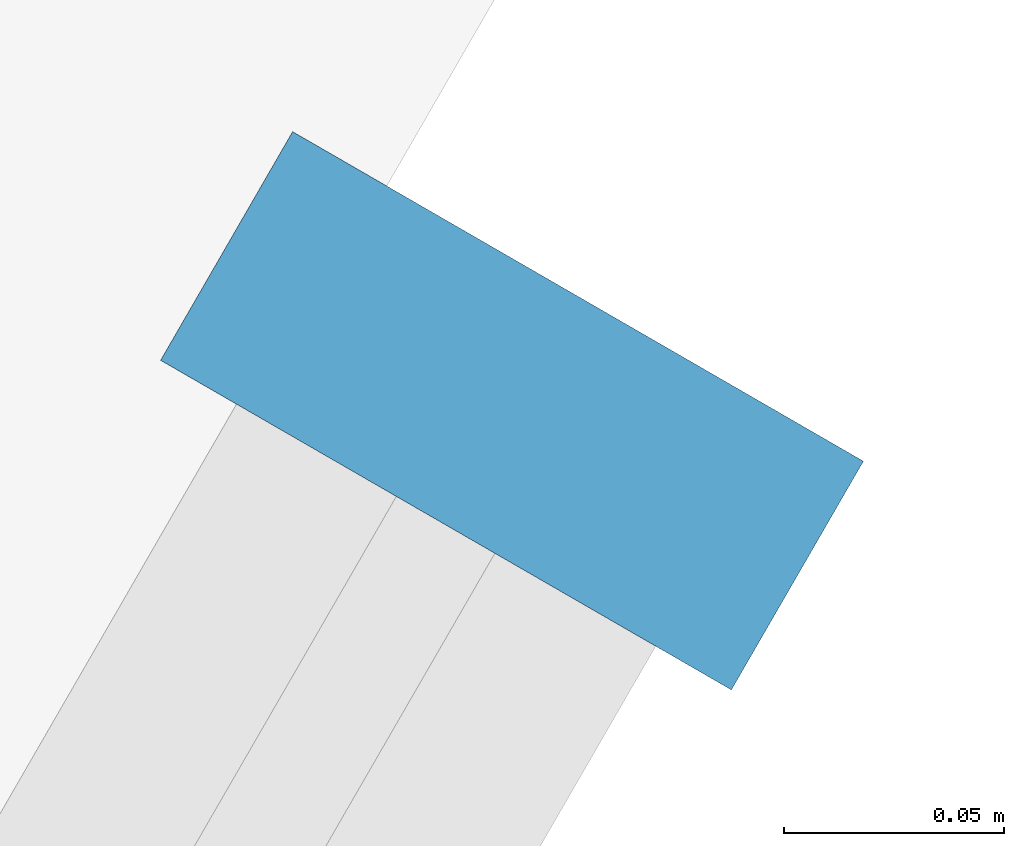
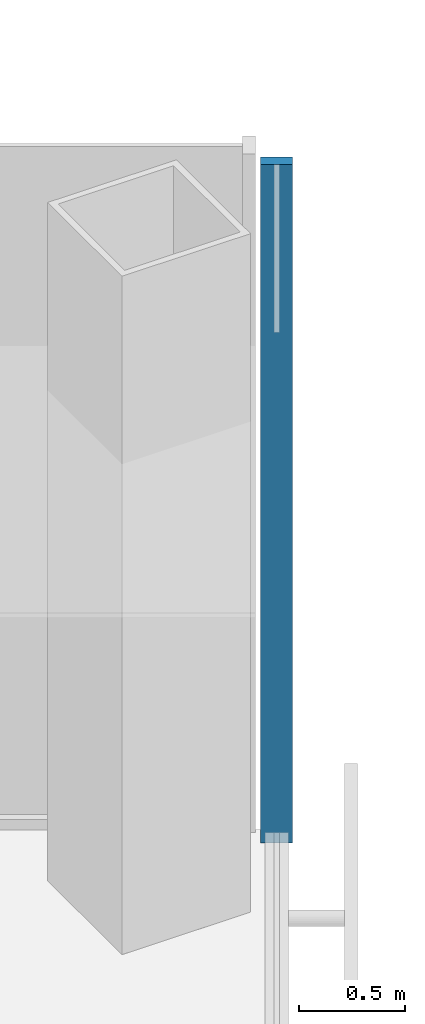
# One storey, part 9 of 18: 1 member, 1 element without a shape of its own.
"""IFC4 building model written with IfcOpenShell, lengths in metres."""

from ifc_helpers import new_model, si_unit, direction, frame, origin, origin_2d, place, context, subcontext, project, spatial, rectangle, extrude, material, material_profile, profile_set, type_object, element, aggregate, save


model = new_model("IFC4")

# Units and contexts
model_context = context("Model", 3, precision=1e-05, world=origin(), true_north=direction((0.0, 1.0)))
body_context = subcontext(model_context, "Body", "Model", "MODEL_VIEW")
ifc_project = project(units=[si_unit("LENGTHUNIT", "METRE"), si_unit("AREAUNIT", "SQUARE_METRE"), si_unit("VOLUMEUNIT", "CUBIC_METRE"), si_unit("PLANEANGLEUNIT", "RADIAN"), si_unit("MASSUNIT", "GRAM", prefix="KILO")], contexts=[model_context])

# Site, building, storey
site_placement = place(None, origin())
site = spatial("IfcSite", under=ifc_project, at=site_placement, CompositionType="ELEMENT")
building_placement = place(site_placement, origin())
building = spatial("IfcBuilding", under=site, at=building_placement, Name="Kasaneha Research Tower", CompositionType="ELEMENT")
storey_placement = place(building_placement, frame((0.0, 0.0, 152.60009765625)))
storey = spatial("IfcBuildingStorey", under=building, at=storey_placement, Name="L38", CompositionType="ELEMENT", Elevation=152.60009765625)

# Curtain wall, member
ifc_material_1 = material(Name="Glass and aluminium", Category="aluminium")
curtain_wall_type = type_object("IfcCurtainWallType", Name="Mid-rise office curtain wall", PredefinedType="USERDEFINED", material=ifc_material_1)
curtain_wall_placement = place(storey_placement, origin())
curtain_wall = element("IfcCurtainWall", 1, at=curtain_wall_placement, inside=storey, type_object=curtain_wall_type, Name="CW-O2 L38 run 04a", ObjectType="UNITISED CURTAIN WALL", PredefinedType="USERDEFINED")
ifc_material_2 = material(Name="Aluminium 6063-T6", Category="aluminium")
ifc_material_profile = material_profile(ifc_material_2, rectangle(XDim=0.06005859375, YDim=0.14990234375, at=origin_2d()), Name="CW-O2 mullion 60x150")
ifc_profile_set = profile_set([ifc_material_profile], Name="Aluminium 6063-T6")
member_type = type_object("IfcMemberType", Name="CW-O2 mullion", PredefinedType="MULLION", material=ifc_profile_set)
member_placement = place(storey_placement, frame((32.012939453125, -6.39306640625, 0.0), z_axis=(0.0, 0.0, 1.0), x_axis=(0.500000011442, 0.866025397178, 0.0)))
member = element("IfcMember", 2, at=member_placement, type_object=member_type, Name="CW-O2 mullion 4", PredefinedType="MULLION", context=body_context, shape_type="SweptSolid", body=[
    extrude(rectangle(XDim=0.06005859375, YDim=0.14990234375, at=origin_2d()), origin(), (0.0, 0.0, 1.0), 3.89990234375),
])
aggregate(curtain_wall, [member])

save(model, "model.ifc")
